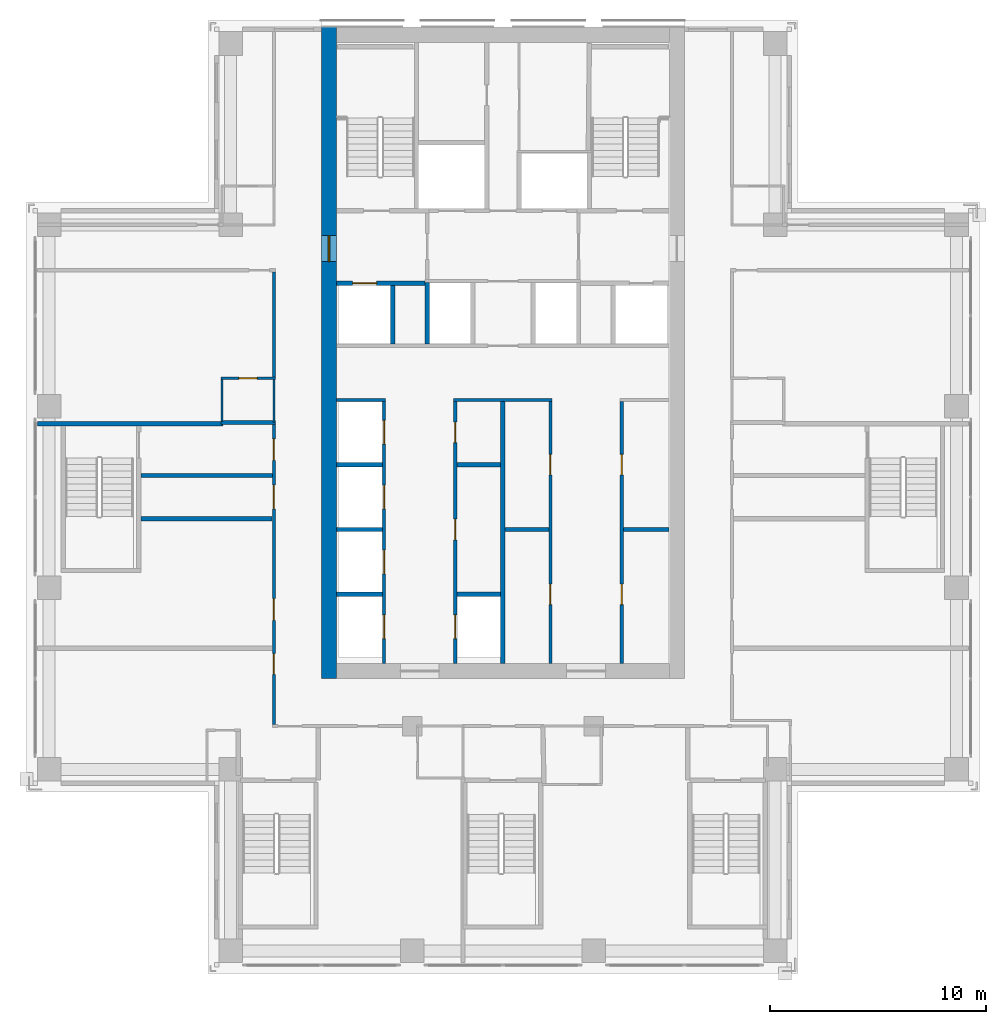
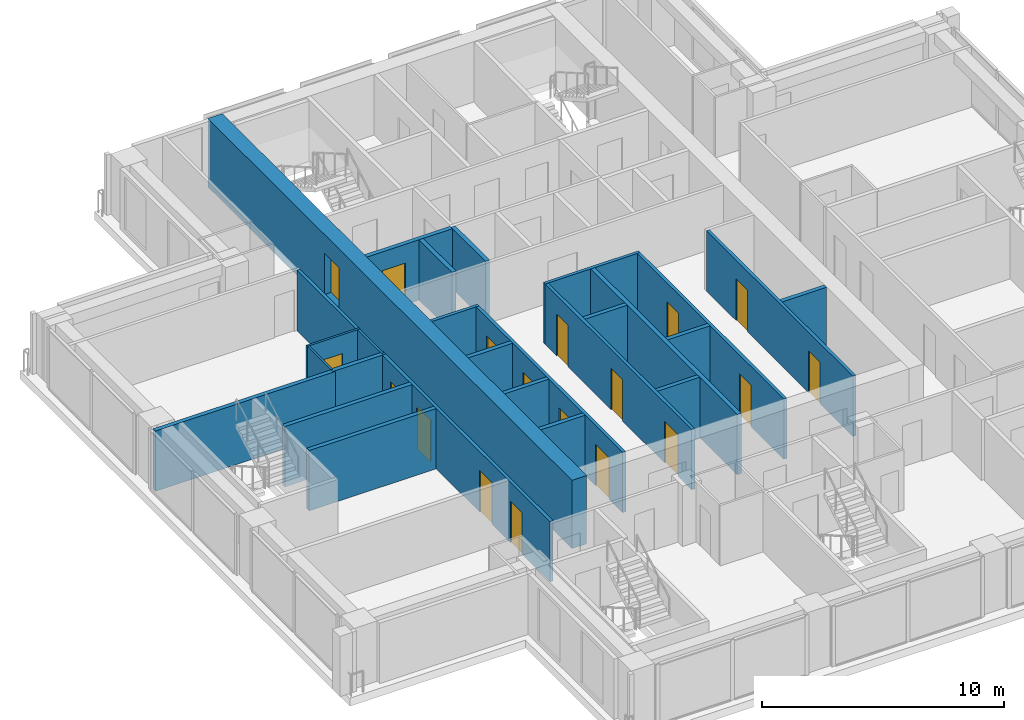
# One storey, part 10 of 16: 27 walls, 18 doors, 18 openings.
"""IFC4 building model written with IfcOpenShell, lengths in metres."""

from ifc_helpers import new_model, si_unit, direction, frame, frame_2d, origin, place, context, subcontext, project, spatial, rectangle, extrude, material, layer, layer_set, type_object, element, fill, save


model = new_model("IFC4")

# Units and contexts
model_context = context("Model", 3, precision=1e-05, world=origin(), true_north=direction((0.0, 1.0)))
body_context = subcontext(model_context, "Body", "Model", "MODEL_VIEW")
ifc_project = project(units=[si_unit("LENGTHUNIT", "METRE"), si_unit("AREAUNIT", "SQUARE_METRE"), si_unit("VOLUMEUNIT", "CUBIC_METRE"), si_unit("PLANEANGLEUNIT", "RADIAN"), si_unit("MASSUNIT", "GRAM", prefix="KILO")], contexts=[model_context])

# Site, building, storey
site_placement = place(None, origin())
site = spatial("IfcSite", under=ifc_project, at=site_placement, CompositionType="ELEMENT")
building_placement = place(site_placement, origin())
building = spatial("IfcBuilding", under=site, at=building_placement, Name="Vermilion Ogive Tower", CompositionType="ELEMENT")
storey_placement = place(building_placement, frame((0.0, 0.0, 136.550048828125)))
storey = spatial("IfcBuildingStorey", under=building, at=storey_placement, Name="L34", CompositionType="ELEMENT", Elevation=136.550048828125)

# Wall, opening, door
ifc_material_1 = material(Name="Gypsum board partition on steel studs", Category="steel")
ifc_layer_1 = layer(ifc_material_1, 0.10009765625)
ifc_layer_set_1 = layer_set([ifc_layer_1], Name="Partition 100 bath")
wall_type_1 = type_object("IfcWallType", Name="Partition 100 bath", PredefinedType="PARTITIONING", material=ifc_layer_set_1)
wall_1_placement = place(storey_placement, frame((-13.050048828125, 5.5, 0.0), z_axis=(0.0, 0.0, 1.0), x_axis=(1.0, 0.0, 0.0)))
wall_1 = element("IfcWall", 1, at=wall_1_placement, inside=storey, type_object=wall_type_1, Name="L34-W-W027", PredefinedType="PARTITIONING", context=body_context, shape_type="SweptSolid", body=[
    extrude(rectangle(XDim=2.525146484375, YDim=0.10009765625, at=frame_2d((1.2626953125, 0.0))), origin(), (0.0, 0.0, 1.0), 3.050048828125),
])
opening_1_placement = place(wall_1_placement, frame((0.824951171875, 0.0, 0.0)))
opening_1 = element("IfcOpeningElement", 2, at=opening_1_placement, cuts=wall_1, Name="Opening D3G1004", PredefinedType="OPENING", context=body_context, shape_type="SweptSolid", body=[
    extrude(rectangle(XDim=0.85009765625, YDim=2.10009765625, at=frame_2d((0.425048828125, 1.050048828125))), frame((0.0, 0.06005859375, 0.0), z_axis=(0.0, -1.0, 0.0), x_axis=(1.0, 0.0, 0.0)), (0.0, 0.0, 1.0), 0.1201171875),
])
ifc_material_2 = material(Name="Timber door leaf", Category="wood")
door_type_1 = type_object("IfcDoorType", Name="Bath door 850 x 2100 FD30", OperationType="SINGLE_SWING_LEFT", PredefinedType="DOOR", material=ifc_material_2)
door_1_placement = place(opening_1_placement, origin())
door_1 = element("IfcDoor", 3, at=door_1_placement, inside=storey, type_object=door_type_1, Name="L34-D-D004", OperationType="SINGLE_SWING_RIGHT", OverallHeight=2.10009765625, OverallWidth=0.85009765625, PredefinedType="DOOR", context=body_context, shape_type="SweptSolid", body=[
    extrude(rectangle(XDim=0.85009765625, YDim=2.10009765625, at=frame_2d((0.425048828125, 1.050048828125))), frame((0.0, 0.02490234375, 0.0), z_axis=(0.0, -1.0, 0.0), x_axis=(1.0, 0.0, 0.0)), (0.0, 0.0, 1.0), 0.050048828125),
])
fill(opening_1, door_1)

# Walls
wall_2_placement = place(storey_placement, frame((-13.0, 3.5, 0.0), z_axis=(0.0, 0.0, 1.0), x_axis=(0.0, 1.0, 0.0)))
element("IfcWall", 4, at=wall_2_placement, inside=storey, type_object=wall_type_1, Name="L34-W-W040", PredefinedType="PARTITIONING", context=body_context, shape_type="SweptSolid", body=[
    extrude(rectangle(XDim=1.949951171875, YDim=0.10009765625, at=frame_2d((0.97509765625, 0.0))), origin(), (0.0, 0.0, 1.0), 3.050048828125),
])
wall_3_placement = place(storey_placement, frame((-10.60009765625, 3.449951171875, 0.0), z_axis=(0.0, 0.0, 1.0), x_axis=(0.0, 1.0, 0.0)))
element("IfcWall", 5, at=wall_3_placement, inside=storey, type_object=wall_type_1, Name="L34-W-W045", PredefinedType="PARTITIONING", context=body_context, shape_type="SweptSolid", body=[
    extrude(rectangle(XDim=2.0, YDim=0.10009765625, at=frame_2d((1.0, 0.0))), origin(), (0.0, 0.0, 1.0), 3.050048828125),
])

# Wall, openings, doors
ifc_material_3 = material(Name="Gypsum board partition on steel studs", Category="steel")
ifc_layer_2 = layer(ifc_material_3, 0.14990234375)
ifc_layer_set_2 = layer_set([ifc_layer_2], Name="Partition 150 corridor")
wall_type_2 = type_object("IfcWallType", Name="Partition 150 corridor", PredefinedType="PARTITIONING", material=ifc_layer_set_2)
wall_4_placement = place(storey_placement, frame((-10.60009765625, -10.52490234375, 0.0), z_axis=(0.0, 0.0, 1.0), x_axis=(0.0, 1.0, 0.0)))
wall_4 = element("IfcWall", 6, at=wall_4_placement, inside=storey, type_object=wall_type_2, Name="L34-W-W044", PredefinedType="PARTITIONING", context=body_context, shape_type="SweptSolid", body=[
    extrude(rectangle(XDim=13.875, YDim=0.14990234375, at=frame_2d((6.9375, 0.0))), origin(), (0.0, 0.0, 1.0), 3.050048828125),
])
opening_2_placement = place(wall_4_placement, frame((2.324951171875, 0.0, 0.0)))
opening_2 = element("IfcOpeningElement", 7, at=opening_2_placement, cuts=wall_4, Name="Opening D3G1001", PredefinedType="OPENING", context=body_context, shape_type="SweptSolid", body=[
    extrude(rectangle(XDim=0.949951171875, YDim=2.10009765625, at=frame_2d((0.47509765625, 1.050048828125))), frame((0.0, 0.0849609375, 0.0), z_axis=(0.0, -1.0, 0.0), x_axis=(1.0, 0.0, 0.0)), (0.0, 0.0, 1.0), 0.169921875),
])
opening_3_placement = place(wall_4_placement, frame((9.974853515625, 0.0, 0.0)))
opening_3 = element("IfcOpeningElement", 8, at=opening_3_placement, cuts=wall_4, Name="Opening D3G1025", PredefinedType="OPENING", context=body_context, shape_type="SweptSolid", body=[
    extrude(rectangle(XDim=1.10009765625, YDim=2.10009765625, at=frame_2d((0.550048828125, 1.050048828125))), frame((0.0, 0.0849609375, 0.0), z_axis=(0.0, -1.0, 0.0), x_axis=(1.0, 0.0, 0.0)), (0.0, 0.0, 1.0), 0.169921875),
])
opening_4_placement = place(wall_4_placement, frame((4.824951171875, 0.0, 0.0)))
opening_4 = element("IfcOpeningElement", 9, at=opening_4_placement, cuts=wall_4, Name="Opening D3G1027", PredefinedType="OPENING", context=body_context, shape_type="SweptSolid", body=[
    extrude(rectangle(XDim=1.0, YDim=2.10009765625, at=frame_2d((0.5, 1.050048828125))), frame((0.0, 0.0849609375, 0.0), z_axis=(0.0, -1.0, 0.0), x_axis=(1.0, 0.0, 0.0)), (0.0, 0.0, 1.0), 0.169921875),
])
opening_5_placement = place(wall_4_placement, frame((12.224853515625, 0.0, 0.0)))
opening_5 = element("IfcOpeningElement", 10, at=opening_5_placement, cuts=wall_4, Name="Opening D3G1029", PredefinedType="OPENING", context=body_context, shape_type="SweptSolid", body=[
    extrude(rectangle(XDim=1.0, YDim=2.10009765625, at=frame_2d((0.5, 1.050048828125))), frame((0.0, 0.0849609375, 0.0), z_axis=(0.0, -1.0, 0.0), x_axis=(1.0, 0.0, 0.0)), (0.0, 0.0, 1.0), 0.169921875),
])
ifc_material_4 = material(Name="Timber door leaf", Category="wood")
door_type_2 = type_object("IfcDoorType", Name="Stair door 1100 x 2100 FD60S", OperationType="SINGLE_SWING_LEFT", PredefinedType="DOOR", material=ifc_material_4)
door_2_placement = place(opening_3_placement, origin())
door_2 = element("IfcDoor", 11, at=door_2_placement, inside=storey, type_object=door_type_2, Name="L34-D-D025", OperationType="SINGLE_SWING_RIGHT", OverallHeight=2.10009765625, OverallWidth=1.10009765625, PredefinedType="DOOR", context=body_context, shape_type="SweptSolid", body=[
    extrude(rectangle(XDim=1.10009765625, YDim=2.10009765625, at=frame_2d((0.550048828125, 1.050048828125))), frame((0.0, 0.02490234375, 0.0), z_axis=(0.0, -1.0, 0.0), x_axis=(1.0, 0.0, 0.0)), (0.0, 0.0, 1.0), 0.050048828125),
])
fill(opening_3, door_2)
ifc_material_5 = material(Name="Timber door leaf", Category="wood")
door_type_3 = type_object("IfcDoorType", Name="Unit door 1000 x 2100 FD30S", OperationType="SINGLE_SWING_LEFT", PredefinedType="DOOR", material=ifc_material_5)
door_3_placement = place(opening_4_placement, origin())
door_3 = element("IfcDoor", 12, at=door_3_placement, inside=storey, type_object=door_type_3, Name="L34-D-D027", OperationType="SINGLE_SWING_RIGHT", OverallHeight=2.10009765625, OverallWidth=1.0, PredefinedType="DOOR", context=body_context, shape_type="SweptSolid", body=[
    extrude(rectangle(XDim=1.0, YDim=2.10009765625, at=frame_2d((0.5, 1.050048828125))), frame((0.0, 0.02490234375, 0.0), z_axis=(0.0, -1.0, 0.0), x_axis=(1.0, 0.0, 0.0)), (0.0, 0.0, 1.0), 0.050048828125),
])
fill(opening_4, door_3)
door_4_placement = place(opening_5_placement, origin())
door_4 = element("IfcDoor", 13, at=door_4_placement, inside=storey, type_object=door_type_3, Name="L34-D-D029", OperationType="SINGLE_SWING_RIGHT", OverallHeight=2.10009765625, OverallWidth=1.0, PredefinedType="DOOR", context=body_context, shape_type="SweptSolid", body=[
    extrude(rectangle(XDim=1.0, YDim=2.10009765625, at=frame_2d((0.5, 1.050048828125))), frame((0.0, 0.02490234375, 0.0), z_axis=(0.0, -1.0, 0.0), x_axis=(1.0, 0.0, 0.0)), (0.0, 0.0, 1.0), 0.050048828125),
])
fill(opening_5, door_4)
ifc_material_6 = material(Name="Timber door leaf", Category="wood")
door_type_4 = type_object("IfcDoorType", Name="Unit door 950 x 2100 FD30S", OperationType="SINGLE_SWING_LEFT", PredefinedType="DOOR", material=ifc_material_6)
door_5_placement = place(opening_2_placement, origin())
door_5 = element("IfcDoor", 14, at=door_5_placement, inside=storey, type_object=door_type_4, Name="L34-D-D001", OperationType="SINGLE_SWING_RIGHT", OverallHeight=2.10009765625, OverallWidth=0.949951171875, PredefinedType="DOOR", context=body_context, shape_type="SweptSolid", body=[
    extrude(rectangle(XDim=0.949951171875, YDim=2.10009765625, at=frame_2d((0.47509765625, 1.050048828125))), frame((0.0, 0.02490234375, 0.0), z_axis=(0.0, -1.0, 0.0), x_axis=(1.0, 0.0, 0.0)), (0.0, 0.0, 1.0), 0.050048828125),
])
fill(opening_2, door_5)

# Walls
wall_5_placement = place(storey_placement, frame((-10.60009765625, 5.550048828125, 0.0), z_axis=(0.0, 0.0, 1.0), x_axis=(0.0, 1.0, 0.0)))
element("IfcWall", 15, at=wall_5_placement, inside=storey, type_object=wall_type_2, Name="L34-W-W046", PredefinedType="PARTITIONING", context=body_context, shape_type="SweptSolid", body=[
    extrude(rectangle(XDim=4.875, YDim=0.14990234375, at=frame_2d((2.4375, 0.0))), origin(), (0.0, 0.0, 1.0), 3.050048828125),
])
wall_6_placement = place(storey_placement, frame((-7.698974609375, 4.5, 0.0), z_axis=(0.0, 0.0, 1.0), x_axis=(1.0, 0.0, 0.0)))
element("IfcWall", 16, at=wall_6_placement, inside=storey, type_object=wall_type_2, Name="L34-CK-W-W008", PredefinedType="PARTITIONING", context=body_context, shape_type="SweptSolid", body=[
    extrude(rectangle(XDim=2.27392578125, YDim=0.14990234375, at=frame_2d((1.136962890625, 0.0))), origin(), (0.0, 0.0, 1.0), 3.050048828125),
])
wall_7_placement = place(storey_placement, frame((-2.27490234375, 4.5, 0.0), z_axis=(0.0, 0.0, 1.0), x_axis=(1.0, 0.0, 0.0)))
element("IfcWall", 17, at=wall_7_placement, inside=storey, type_object=wall_type_2, Name="L34-CK-W-W009", PredefinedType="PARTITIONING", context=body_context, shape_type="SweptSolid", body=[
    extrude(rectangle(XDim=4.5498046875, YDim=0.14990234375, at=frame_2d((2.27490234375, 0.0))), origin(), (0.0, 0.0, 1.0), 3.050048828125),
])

# Wall, openings, doors
wall_8_placement = place(storey_placement, frame((-5.5, -7.698974609375, 0.0), z_axis=(0.0, 0.0, 1.0), x_axis=(0.0, 1.0, 0.0)))
wall_8 = element("IfcWall", 18, at=wall_8_placement, inside=storey, type_object=wall_type_2, Name="L34-CK-W-W020", PredefinedType="PARTITIONING", context=body_context, shape_type="SweptSolid", body=[
    extrude(rectangle(XDim=12.1240234375, YDim=0.14990234375, at=frame_2d((6.06201171875, 0.0))), origin(), (0.0, 0.0, 1.0), 3.050048828125),
])
opening_6_placement = place(wall_8_placement, frame((1.14892578125, 0.0, 0.0)))
opening_6 = element("IfcOpeningElement", 19, at=opening_6_placement, cuts=wall_8, Name="Opening DAA291", PredefinedType="OPENING", context=body_context, shape_type="SweptSolid", body=[
    extrude(rectangle(XDim=1.10009765625, YDim=2.10009765625, at=frame_2d((0.550048828125, 1.050048828125))), frame((0.0, 0.0849609375, 0.0), z_axis=(0.0, -1.0, 0.0), x_axis=(1.0, 0.0, 0.0)), (0.0, 0.0, 1.0), 0.169921875),
])
opening_7_placement = place(wall_8_placement, frame((4.14892578125, 0.0, 0.0)))
opening_7 = element("IfcOpeningElement", 20, at=opening_7_placement, cuts=wall_8, Name="Opening DAA292", PredefinedType="OPENING", context=body_context, shape_type="SweptSolid", body=[
    extrude(rectangle(XDim=1.10009765625, YDim=2.10009765625, at=frame_2d((0.550048828125, 1.050048828125))), frame((0.0, 0.0849609375, 0.0), z_axis=(0.0, -1.0, 0.0), x_axis=(1.0, 0.0, 0.0)), (0.0, 0.0, 1.0), 0.169921875),
])
opening_8_placement = place(wall_8_placement, frame((7.14892578125, 0.0, 0.0)))
opening_8 = element("IfcOpeningElement", 21, at=opening_8_placement, cuts=wall_8, Name="Opening DAA293", PredefinedType="OPENING", context=body_context, shape_type="SweptSolid", body=[
    extrude(rectangle(XDim=1.10009765625, YDim=2.10009765625, at=frame_2d((0.550048828125, 1.050048828125))), frame((0.0, 0.0849609375, 0.0), z_axis=(0.0, -1.0, 0.0), x_axis=(1.0, 0.0, 0.0)), (0.0, 0.0, 1.0), 0.169921875),
])
opening_9_placement = place(wall_8_placement, frame((10.14892578125, 0.0, 0.0)))
opening_9 = element("IfcOpeningElement", 22, at=opening_9_placement, cuts=wall_8, Name="Opening DAA294", PredefinedType="OPENING", context=body_context, shape_type="SweptSolid", body=[
    extrude(rectangle(XDim=1.10009765625, YDim=2.10009765625, at=frame_2d((0.550048828125, 1.050048828125))), frame((0.0, 0.0849609375, 0.0), z_axis=(0.0, -1.0, 0.0), x_axis=(1.0, 0.0, 0.0)), (0.0, 0.0, 1.0), 0.169921875),
])
ifc_material_7 = material(Name="Stainless steel", Category="steel")
door_type_5 = type_object("IfcDoorType", Name="Lift landing door 1100 x 2100", OperationType="SLIDING_TO_LEFT", PredefinedType="DOOR", material=ifc_material_7)
door_6_placement = place(opening_6_placement, origin())
door_6 = element("IfcDoor", 23, at=door_6_placement, inside=storey, type_object=door_type_5, Name="L34-CK-D-D001", OperationType="SLIDING_TO_LEFT", OverallHeight=2.10009765625, OverallWidth=1.10009765625, PredefinedType="DOOR", context=body_context, shape_type="SweptSolid", body=[
    extrude(rectangle(XDim=1.10009765625, YDim=2.10009765625, at=frame_2d((0.550048828125, 1.050048828125))), frame((0.0, 0.02490234375, 0.0), z_axis=(0.0, -1.0, 0.0), x_axis=(1.0, 0.0, 0.0)), (0.0, 0.0, 1.0), 0.050048828125),
])
fill(opening_6, door_6)
door_7_placement = place(opening_7_placement, origin())
door_7 = element("IfcDoor", 24, at=door_7_placement, inside=storey, type_object=door_type_5, Name="L34-CK-D-D002", OperationType="SLIDING_TO_LEFT", OverallHeight=2.10009765625, OverallWidth=1.10009765625, PredefinedType="DOOR", context=body_context, shape_type="SweptSolid", body=[
    extrude(rectangle(XDim=1.10009765625, YDim=2.10009765625, at=frame_2d((0.550048828125, 1.050048828125))), frame((0.0, 0.02490234375, 0.0), z_axis=(0.0, -1.0, 0.0), x_axis=(1.0, 0.0, 0.0)), (0.0, 0.0, 1.0), 0.050048828125),
])
fill(opening_7, door_7)
door_8_placement = place(opening_8_placement, origin())
door_8 = element("IfcDoor", 25, at=door_8_placement, inside=storey, type_object=door_type_5, Name="L34-CK-D-D003", OperationType="SLIDING_TO_LEFT", OverallHeight=2.10009765625, OverallWidth=1.10009765625, PredefinedType="DOOR", context=body_context, shape_type="SweptSolid", body=[
    extrude(rectangle(XDim=1.10009765625, YDim=2.10009765625, at=frame_2d((0.550048828125, 1.050048828125))), frame((0.0, 0.02490234375, 0.0), z_axis=(0.0, -1.0, 0.0), x_axis=(1.0, 0.0, 0.0)), (0.0, 0.0, 1.0), 0.050048828125),
])
fill(opening_8, door_8)
door_9_placement = place(opening_9_placement, origin())
door_9 = element("IfcDoor", 26, at=door_9_placement, inside=storey, type_object=door_type_5, Name="L34-CK-D-D004", OperationType="SLIDING_TO_LEFT", OverallHeight=2.10009765625, OverallWidth=1.10009765625, PredefinedType="DOOR", context=body_context, shape_type="SweptSolid", body=[
    extrude(rectangle(XDim=1.10009765625, YDim=2.10009765625, at=frame_2d((0.550048828125, 1.050048828125))), frame((0.0, 0.02490234375, 0.0), z_axis=(0.0, -1.0, 0.0), x_axis=(1.0, 0.0, 0.0)), (0.0, 0.0, 1.0), 0.050048828125),
])
fill(opening_9, door_9)

wall_9_placement = place(storey_placement, frame((-2.199951171875, -7.698974609375, 0.0), z_axis=(0.0, 0.0, 1.0), x_axis=(0.0, 1.0, 0.0)))
wall_9 = element("IfcWall", 27, at=wall_9_placement, inside=storey, type_object=wall_type_2, Name="L34-CK-W-W025", PredefinedType="PARTITIONING", context=body_context, shape_type="SweptSolid", body=[
    extrude(rectangle(XDim=12.1240234375, YDim=0.14990234375, at=frame_2d((6.06201171875, 0.0))), origin(), (0.0, 0.0, 1.0), 3.050048828125),
])
opening_10_placement = place(wall_9_placement, frame((1.14892578125, 0.0, 0.0)))
opening_10 = element("IfcOpeningElement", 28, at=opening_10_placement, cuts=wall_9, Name="Opening DAA295", PredefinedType="OPENING", context=body_context, shape_type="SweptSolid", body=[
    extrude(rectangle(XDim=1.10009765625, YDim=2.10009765625, at=frame_2d((0.550048828125, 1.050048828125))), frame((0.0, 0.0849609375, 0.0), z_axis=(0.0, -1.0, 0.0), x_axis=(1.0, 0.0, 0.0)), (0.0, 0.0, 1.0), 0.169921875),
])
opening_11_placement = place(wall_9_placement, frame((5.723876953125, 0.0, 0.0)))
opening_11 = element("IfcOpeningElement", 29, at=opening_11_placement, cuts=wall_9, Name="Opening DAA281", PredefinedType="OPENING", context=body_context, shape_type="SweptSolid", body=[
    extrude(rectangle(XDim=0.949951171875, YDim=2.10009765625, at=frame_2d((0.47509765625, 1.050048828125))), frame((0.0, 0.0849609375, 0.0), z_axis=(0.0, -1.0, 0.0), x_axis=(1.0, 0.0, 0.0)), (0.0, 0.0, 1.0), 0.169921875),
])
opening_12_placement = place(wall_9_placement, frame((10.223876953125, 0.0, 0.0)))
opening_12 = element("IfcOpeningElement", 30, at=opening_12_placement, cuts=wall_9, Name="Opening DAA282", PredefinedType="OPENING", context=body_context, shape_type="SweptSolid", body=[
    extrude(rectangle(XDim=0.949951171875, YDim=2.10009765625, at=frame_2d((0.47509765625, 1.050048828125))), frame((0.0, 0.0849609375, 0.0), z_axis=(0.0, -1.0, 0.0), x_axis=(1.0, 0.0, 0.0)), (0.0, 0.0, 1.0), 0.169921875),
])
door_10_placement = place(opening_10_placement, origin())
door_10 = element("IfcDoor", 31, at=door_10_placement, inside=storey, type_object=door_type_5, Name="L34-CK-D-D005", OperationType="SLIDING_TO_LEFT", OverallHeight=2.10009765625, OverallWidth=1.10009765625, PredefinedType="DOOR", context=body_context, shape_type="SweptSolid", body=[
    extrude(rectangle(XDim=1.10009765625, YDim=2.10009765625, at=frame_2d((0.550048828125, 1.050048828125))), frame((0.0, 0.02490234375, 0.0), z_axis=(0.0, -1.0, 0.0), x_axis=(1.0, 0.0, 0.0)), (0.0, 0.0, 1.0), 0.050048828125),
])
fill(opening_10, door_10)
ifc_material_8 = material(Name="Timber door leaf", Category="wood")
door_type_6 = type_object("IfcDoorType", Name="Service door 950 x 2100 FD60", OperationType="SINGLE_SWING_LEFT", PredefinedType="DOOR", material=ifc_material_8)
door_11_placement = place(opening_11_placement, origin())
door_11 = element("IfcDoor", 32, at=door_11_placement, inside=storey, type_object=door_type_6, Name="L34-CK-D-D006", OperationType="SINGLE_SWING_LEFT", OverallHeight=2.10009765625, OverallWidth=0.949951171875, PredefinedType="DOOR", context=body_context, shape_type="SweptSolid", body=[
    extrude(rectangle(XDim=0.949951171875, YDim=2.10009765625, at=frame_2d((0.47509765625, 1.050048828125))), frame((0.0, 0.02490234375, 0.0), z_axis=(0.0, -1.0, 0.0), x_axis=(1.0, 0.0, 0.0)), (0.0, 0.0, 1.0), 0.050048828125),
])
fill(opening_11, door_11)
door_12_placement = place(opening_12_placement, origin())
door_12 = element("IfcDoor", 33, at=door_12_placement, inside=storey, type_object=door_type_6, Name="L34-CK-D-D007", OperationType="SINGLE_SWING_RIGHT", OverallHeight=2.10009765625, OverallWidth=0.949951171875, PredefinedType="DOOR", context=body_context, shape_type="SweptSolid", body=[
    extrude(rectangle(XDim=0.949951171875, YDim=2.10009765625, at=frame_2d((0.47509765625, 1.050048828125))), frame((0.0, 0.02490234375, 0.0), z_axis=(0.0, -1.0, 0.0), x_axis=(1.0, 0.0, 0.0)), (0.0, 0.0, 1.0), 0.050048828125),
])
fill(opening_12, door_12)

wall_10_placement = place(storey_placement, frame((2.199951171875, -7.698974609375, 0.0), z_axis=(0.0, 0.0, 1.0), x_axis=(0.0, 1.0, 0.0)))
wall_10 = element("IfcWall", 34, at=wall_10_placement, inside=storey, type_object=wall_type_2, Name="L34-CK-W-W032", PredefinedType="PARTITIONING", context=body_context, shape_type="SweptSolid", body=[
    extrude(rectangle(XDim=12.1240234375, YDim=0.14990234375, at=frame_2d((6.06201171875, 0.0))), origin(), (0.0, 0.0, 1.0), 3.050048828125),
])
opening_13_placement = place(wall_10_placement, frame((2.723876953125, 0.0, 0.0)))
opening_13 = element("IfcOpeningElement", 35, at=opening_13_placement, cuts=wall_10, Name="Opening DAA283", PredefinedType="OPENING", context=body_context, shape_type="SweptSolid", body=[
    extrude(rectangle(XDim=0.949951171875, YDim=2.10009765625, at=frame_2d((0.47509765625, 1.050048828125))), frame((0.0, 0.0849609375, 0.0), z_axis=(0.0, -1.0, 0.0), x_axis=(1.0, 0.0, 0.0)), (0.0, 0.0, 1.0), 0.169921875),
])
opening_14_placement = place(wall_10_placement, frame((8.723876953125, 0.0, 0.0)))
opening_14 = element("IfcOpeningElement", 36, at=opening_14_placement, cuts=wall_10, Name="Opening DAA284", PredefinedType="OPENING", context=body_context, shape_type="SweptSolid", body=[
    extrude(rectangle(XDim=0.949951171875, YDim=2.10009765625, at=frame_2d((0.47509765625, 1.050048828125))), frame((0.0, 0.0849609375, 0.0), z_axis=(0.0, -1.0, 0.0), x_axis=(1.0, 0.0, 0.0)), (0.0, 0.0, 1.0), 0.169921875),
])
door_13_placement = place(opening_13_placement, origin())
door_13 = element("IfcDoor", 37, at=door_13_placement, inside=storey, type_object=door_type_6, Name="L34-CK-D-D008", OperationType="SINGLE_SWING_RIGHT", OverallHeight=2.10009765625, OverallWidth=0.949951171875, PredefinedType="DOOR", context=body_context, shape_type="SweptSolid", body=[
    extrude(rectangle(XDim=0.949951171875, YDim=2.10009765625, at=frame_2d((0.47509765625, 1.050048828125))), frame((0.0, 0.02490234375, 0.0), z_axis=(0.0, -1.0, 0.0), x_axis=(1.0, 0.0, 0.0)), (0.0, 0.0, 1.0), 0.050048828125),
])
fill(opening_13, door_13)
door_14_placement = place(opening_14_placement, origin())
door_14 = element("IfcDoor", 38, at=door_14_placement, inside=storey, type_object=door_type_6, Name="L34-CK-D-D009", OperationType="SINGLE_SWING_RIGHT", OverallHeight=2.10009765625, OverallWidth=0.949951171875, PredefinedType="DOOR", context=body_context, shape_type="SweptSolid", body=[
    extrude(rectangle(XDim=0.949951171875, YDim=2.10009765625, at=frame_2d((0.47509765625, 1.050048828125))), frame((0.0, 0.02490234375, 0.0), z_axis=(0.0, -1.0, 0.0), x_axis=(1.0, 0.0, 0.0)), (0.0, 0.0, 1.0), 0.050048828125),
])
fill(opening_14, door_14)

wall_11_placement = place(storey_placement, frame((5.5, -7.698974609375, 0.0), z_axis=(0.0, 0.0, 1.0), x_axis=(0.0, 1.0, 0.0)))
wall_11 = element("IfcWall", 39, at=wall_11_placement, inside=storey, type_object=wall_type_2, Name="L34-CK-W-W038", PredefinedType="PARTITIONING", context=body_context, shape_type="SweptSolid", body=[
    extrude(rectangle(XDim=12.1240234375, YDim=0.14990234375, at=frame_2d((6.06201171875, 0.0))), origin(), (0.0, 0.0, 1.0), 3.050048828125),
])
opening_15_placement = place(wall_11_placement, frame((2.723876953125, 0.0, 0.0)))
opening_15 = element("IfcOpeningElement", 40, at=opening_15_placement, cuts=wall_11, Name="Opening DAA285", PredefinedType="OPENING", context=body_context, shape_type="SweptSolid", body=[
    extrude(rectangle(XDim=0.949951171875, YDim=2.10009765625, at=frame_2d((0.47509765625, 1.050048828125))), frame((0.0, 0.0849609375, 0.0), z_axis=(0.0, -1.0, 0.0), x_axis=(1.0, 0.0, 0.0)), (0.0, 0.0, 1.0), 0.169921875),
])
opening_16_placement = place(wall_11_placement, frame((8.723876953125, 0.0, 0.0)))
opening_16 = element("IfcOpeningElement", 41, at=opening_16_placement, cuts=wall_11, Name="Opening DAA286", PredefinedType="OPENING", context=body_context, shape_type="SweptSolid", body=[
    extrude(rectangle(XDim=0.949951171875, YDim=2.10009765625, at=frame_2d((0.47509765625, 1.050048828125))), frame((0.0, 0.0849609375, 0.0), z_axis=(0.0, -1.0, 0.0), x_axis=(1.0, 0.0, 0.0)), (0.0, 0.0, 1.0), 0.169921875),
])
door_15_placement = place(opening_15_placement, origin())
door_15 = element("IfcDoor", 42, at=door_15_placement, inside=storey, type_object=door_type_6, Name="L34-CK-D-D010", OperationType="SINGLE_SWING_LEFT", OverallHeight=2.10009765625, OverallWidth=0.949951171875, PredefinedType="DOOR", context=body_context, shape_type="SweptSolid", body=[
    extrude(rectangle(XDim=0.949951171875, YDim=2.10009765625, at=frame_2d((0.47509765625, 1.050048828125))), frame((0.0, 0.02490234375, 0.0), z_axis=(0.0, -1.0, 0.0), x_axis=(1.0, 0.0, 0.0)), (0.0, 0.0, 1.0), 0.050048828125),
])
fill(opening_15, door_15)
door_16_placement = place(opening_16_placement, origin())
door_16 = element("IfcDoor", 43, at=door_16_placement, inside=storey, type_object=door_type_6, Name="L34-CK-D-D011", OperationType="SINGLE_SWING_LEFT", OverallHeight=2.10009765625, OverallWidth=0.949951171875, PredefinedType="DOOR", context=body_context, shape_type="SweptSolid", body=[
    extrude(rectangle(XDim=0.949951171875, YDim=2.10009765625, at=frame_2d((0.47509765625, 1.050048828125))), frame((0.0, 0.02490234375, 0.0), z_axis=(0.0, -1.0, 0.0), x_axis=(1.0, 0.0, 0.0)), (0.0, 0.0, 1.0), 0.050048828125),
])
fill(opening_16, door_16)

# Walls
ifc_material_9 = material(Name="Gypsum board partition on steel studs", Category="steel")
ifc_layer_3 = layer(ifc_material_9, 0.199951171875)
ifc_layer_set_3 = layer_set([ifc_layer_3], Name="Partition 200 party")
wall_type_3 = type_object("IfcWallType", Name="Partition 200 party", PredefinedType="PARTITIONING", material=ifc_layer_set_3)
wall_12_placement = place(storey_placement, frame((-16.748046875, -1.0, 0.0), z_axis=(0.0, 0.0, 1.0), x_axis=(1.0, 0.0, 0.0)))
element("IfcWall", 44, at=wall_12_placement, inside=storey, type_object=wall_type_3, Name="L34-W-W019", PredefinedType="PARTITIONING", context=body_context, shape_type="SweptSolid", body=[
    extrude(rectangle(XDim=6.071044921875, YDim=0.199951171875, at=frame_2d((3.03564453125, 0.0))), origin(), (0.0, 0.0, 1.0), 3.050048828125),
])
wall_13_placement = place(storey_placement, frame((-16.75, 1.0, 0.0), z_axis=(0.0, 0.0, 1.0), x_axis=(1.0, 0.0, 0.0)))
element("IfcWall", 45, at=wall_13_placement, inside=storey, type_object=wall_type_3, Name="L34-W-W021", PredefinedType="PARTITIONING", context=body_context, shape_type="SweptSolid", body=[
    extrude(rectangle(XDim=6.074951171875, YDim=0.199951171875, at=frame_2d((3.03759765625, 0.0))), origin(), (0.0, 0.0, 1.0), 3.050048828125),
])
wall_14_placement = place(storey_placement, frame((-7.698974609375, -4.5, 0.0), z_axis=(0.0, 0.0, 1.0), x_axis=(1.0, 0.0, 0.0)))
element("IfcWall", 46, at=wall_14_placement, inside=storey, type_object=wall_type_3, Name="L34-CK-W-W001", PredefinedType="PARTITIONING", context=body_context, shape_type="SweptSolid", body=[
    extrude(rectangle(XDim=2.1240234375, YDim=0.199951171875, at=frame_2d((1.06201171875, 0.0))), origin(), (0.0, 0.0, 1.0), 3.050048828125),
])
wall_15_placement = place(storey_placement, frame((-2.125, -4.5, 0.0), z_axis=(0.0, 0.0, 1.0), x_axis=(1.0, 0.0, 0.0)))
element("IfcWall", 47, at=wall_15_placement, inside=storey, type_object=wall_type_3, Name="L34-CK-W-W002", PredefinedType="PARTITIONING", context=body_context, shape_type="SweptSolid", body=[
    extrude(rectangle(XDim=2.02490234375, YDim=0.199951171875, at=frame_2d((1.012451171875, 0.0))), origin(), (0.0, 0.0, 1.0), 3.050048828125),
])
wall_16_placement = place(storey_placement, frame((-7.698974609375, -1.5, 0.0), z_axis=(0.0, 0.0, 1.0), x_axis=(1.0, 0.0, 0.0)))
element("IfcWall", 48, at=wall_16_placement, inside=storey, type_object=wall_type_3, Name="L34-CK-W-W003", PredefinedType="PARTITIONING", context=body_context, shape_type="SweptSolid", body=[
    extrude(rectangle(XDim=2.1240234375, YDim=0.199951171875, at=frame_2d((1.06201171875, 0.0))), origin(), (0.0, 0.0, 1.0), 3.050048828125),
])
wall_17_placement = place(storey_placement, frame((0.10009765625, -1.5, 0.0), z_axis=(0.0, 0.0, 1.0), x_axis=(1.0, 0.0, 0.0)))
element("IfcWall", 49, at=wall_17_placement, inside=storey, type_object=wall_type_3, Name="L34-CK-W-W004", PredefinedType="PARTITIONING", context=body_context, shape_type="SweptSolid", body=[
    extrude(rectangle(XDim=2.02490234375, YDim=0.199951171875, at=frame_2d((1.012451171875, 0.0))), origin(), (0.0, 0.0, 1.0), 3.050048828125),
])
for number, where, z_axis, x_axis, name in (
    (50, (5.574951171875, -1.5, 0.0), (0.0, 0.0, 1.0), (1.0, 0.0, 0.0), "L34-CK-W-W005"),
    (51, (-7.698974609375, 1.5, 0.0), (0.0, 0.0, 1.0), (1.0, 0.0, 0.0), "L34-CK-W-W006"),
):
    element("IfcWall", number, at=place(storey_placement, frame(where, z_axis=z_axis, x_axis=x_axis)), inside=storey, type_object=wall_type_3, Name=name, PredefinedType="PARTITIONING", context=body_context, shape_type="SweptSolid", body=[
        extrude(rectangle(XDim=2.1240234375, YDim=0.199951171875, at=frame_2d((1.06201171875, 0.0))), origin(), (0.0, 0.0, 1.0), 3.050048828125),
    ])
wall_18_placement = place(storey_placement, frame((-2.125, 1.5, 0.0), z_axis=(0.0, 0.0, 1.0), x_axis=(1.0, 0.0, 0.0)))
element("IfcWall", 52, at=wall_18_placement, inside=storey, type_object=wall_type_3, Name="L34-CK-W-W007", PredefinedType="PARTITIONING", context=body_context, shape_type="SweptSolid", body=[
    extrude(rectangle(XDim=2.02490234375, YDim=0.199951171875, at=frame_2d((1.012451171875, 0.0))), origin(), (0.0, 0.0, 1.0), 3.050048828125),
])

# Wall, opening, door
wall_19_placement = place(storey_placement, frame((-7.698974609375, 9.89990234375, 0.0), z_axis=(0.0, 0.0, 1.0), x_axis=(1.0, 0.0, 0.0)))
wall_19 = element("IfcWall", 53, at=wall_19_placement, inside=storey, type_object=wall_type_3, Name="L34-CK-W-W012", PredefinedType="PARTITIONING", context=body_context, shape_type="SweptSolid", body=[
    extrude(rectangle(XDim=4.098876953125, YDim=0.199951171875, at=frame_2d((2.04931640625, 0.0))), origin(), (0.0, 0.0, 1.0), 3.050048828125),
])
opening_17_placement = place(wall_19_placement, frame((0.7490234375, 0.0, 0.0)))
opening_17 = element("IfcOpeningElement", 54, at=opening_17_placement, cuts=wall_19, Name="Opening DAA296", PredefinedType="OPENING", context=body_context, shape_type="SweptSolid", body=[
    extrude(rectangle(XDim=1.10009765625, YDim=2.10009765625, at=frame_2d((0.550048828125, 1.050048828125))), frame((0.0, 0.10986328125, 0.0), z_axis=(0.0, -1.0, 0.0), x_axis=(1.0, 0.0, 0.0)), (0.0, 0.0, 1.0), 0.219970703125),
])
door_17_placement = place(opening_17_placement, origin())
door_17 = element("IfcDoor", 55, at=door_17_placement, inside=storey, type_object=door_type_5, Name="L34-CK-D-D013", OperationType="SLIDING_TO_RIGHT", OverallHeight=2.10009765625, OverallWidth=1.10009765625, PredefinedType="DOOR", context=body_context, shape_type="SweptSolid", body=[
    extrude(rectangle(XDim=1.10009765625, YDim=2.10009765625, at=frame_2d((0.550048828125, 1.050048828125))), frame((0.0, 0.02490234375, 0.0), z_axis=(0.0, -1.0, 0.0), x_axis=(1.0, 0.0, 0.0)), (0.0, 0.0, 1.0), 0.050048828125),
])
fill(opening_17, door_17)

# Walls
wall_20_placement = place(storey_placement, frame((-5.10009765625, 7.074951171875, 0.0), z_axis=(0.0, 0.0, 1.0), x_axis=(0.0, 1.0, 0.0)))
element("IfcWall", 56, at=wall_20_placement, inside=storey, type_object=wall_type_3, Name="L34-CK-W-W021", PredefinedType="PARTITIONING", context=body_context, shape_type="SweptSolid", body=[
    extrude(rectangle(XDim=2.72509765625, YDim=0.199951171875, at=frame_2d((1.362548828125, 0.0))), origin(), (0.0, 0.0, 1.0), 3.050048828125),
])
wall_21_placement = place(storey_placement, frame((-3.5, 7.074951171875, 0.0), z_axis=(0.0, 0.0, 1.0), x_axis=(0.0, 1.0, 0.0)))
element("IfcWall", 57, at=wall_21_placement, inside=storey, type_object=wall_type_3, Name="L34-CK-W-W023", PredefinedType="PARTITIONING", context=body_context, shape_type="SweptSolid", body=[
    extrude(rectangle(XDim=2.85009765625, YDim=0.199951171875, at=frame_2d((1.425048828125, 0.0))), origin(), (0.0, 0.0, 1.0), 3.050048828125),
])
wall_22_placement = place(storey_placement, frame((0.0, -7.698974609375, 0.0), z_axis=(0.0, 0.0, 1.0), x_axis=(0.0, 1.0, 0.0)))
element("IfcWall", 58, at=wall_22_placement, inside=storey, type_object=wall_type_3, Name="L34-CK-W-W028", PredefinedType="PARTITIONING", context=body_context, shape_type="SweptSolid", body=[
    extrude(rectangle(XDim=12.1240234375, YDim=0.199951171875, at=frame_2d((6.06201171875, 0.0))), origin(), (0.0, 0.0, 1.0), 3.050048828125),
])

# Wall, opening, door
ifc_material_10 = material(Name="Concrete B60", Category="concrete")
ifc_layer_4 = layer(ifc_material_10, 0.199951171875)
ifc_layer_set_4 = layer_set([ifc_layer_4], Name="Stair shaft wall 200 Concrete B60")
wall_type_4 = type_object("IfcWallType", Name="Stair shaft wall 200 Concrete B60", PredefinedType="SOLIDWALL", material=ifc_layer_set_4)
wall_23_placement = place(storey_placement, frame((-8.050048828125, -8.39990234375, -0.400146484375), z_axis=(0.0, 0.0, 1.0), x_axis=(0.0, 1.0, 0.0)))
wall_23 = element("IfcWall", 59, at=wall_23_placement, inside=storey, type_object=wall_type_4, Name="L34-CORE-W", PredefinedType="SOLIDWALL", context=body_context, shape_type="SweptSolid", body=[
    extrude(rectangle(XDim=30.14990234375, YDim=0.699951171875, at=frame_2d((15.074951171875, 0.0))), origin(), (0.0, 0.0, 1.0), 3.4501953125),
])
opening_18_placement = place(wall_23_placement, frame((19.300048828125, 0.0, 0.39990234375)))
opening_18 = element("IfcOpeningElement", 60, at=opening_18_placement, cuts=wall_23, Name="Opening DAM013", PredefinedType="OPENING", context=body_context, shape_type="SweptSolid", body=[
    extrude(rectangle(XDim=1.199951171875, YDim=2.10009765625, at=frame_2d((0.60009765625, 1.050048828125))), frame((0.0, 0.35986328125, 0.0), z_axis=(0.0, -1.0, 0.0), x_axis=(1.0, 0.0, 0.0)), (0.0, 0.0, 1.0), 0.719970703125),
])
ifc_material_11 = material(Name="Timber door leaf", Category="wood")
door_type_7 = type_object("IfcDoorType", Name="Link door 1200 x 2100 FD60S", OperationType="SINGLE_SWING_LEFT", PredefinedType="DOOR", material=ifc_material_11)
door_18_placement = place(opening_18_placement, origin())
door_18 = element("IfcDoor", 61, at=door_18_placement, inside=storey, type_object=door_type_7, Name="L34-CK-XD3", OperationType="SINGLE_SWING_LEFT", OverallHeight=2.10009765625, OverallWidth=1.199951171875, PredefinedType="DOOR", context=body_context, shape_type="SweptSolid", body=[
    extrude(rectangle(XDim=1.199951171875, YDim=2.10009765625, at=frame_2d((0.60009765625, 1.050048828125))), frame((0.0, 0.02490234375, 0.0), z_axis=(0.0, -1.0, 0.0), x_axis=(1.0, 0.0, 0.0)), (0.0, 0.0, 1.0), 0.050048828125),
])
fill(opening_18, door_18)

# Walls
wall_24_placement = place(storey_placement, frame((-21.550048828125, 3.39990234375, 0.0), z_axis=(0.0, 0.0, 1.0), x_axis=(1.0, 0.0, 0.0)))
element("IfcWall", 62, at=wall_24_placement, inside=storey, type_object=wall_type_4, Name="L34-W-W023", PredefinedType="SOLIDWALL", context=body_context, shape_type="SweptSolid", body=[
    extrude(rectangle(XDim=8.60009765625, YDim=0.199951171875, at=frame_2d((4.300048828125, 0.0))), origin(), (0.0, 0.0, 1.0), 3.050048828125),
])
wall_25_placement = place(storey_placement, frame((-13.050048828125, 3.449951171875, 0.0), z_axis=(0.0, 0.0, 1.0), x_axis=(1.0, 0.0, 0.0)))
element("IfcWall", 63, at=wall_25_placement, inside=storey, type_object=wall_type_4, Name="L34-W-W024", PredefinedType="SOLIDWALL", context=body_context, shape_type="SweptSolid", body=[
    extrude(rectangle(XDim=2.525146484375, YDim=0.199951171875, at=frame_2d((1.2626953125, 0.0))), origin(), (0.0, 0.0, 1.0), 3.050048828125),
])

save(model, "model.ifc")
